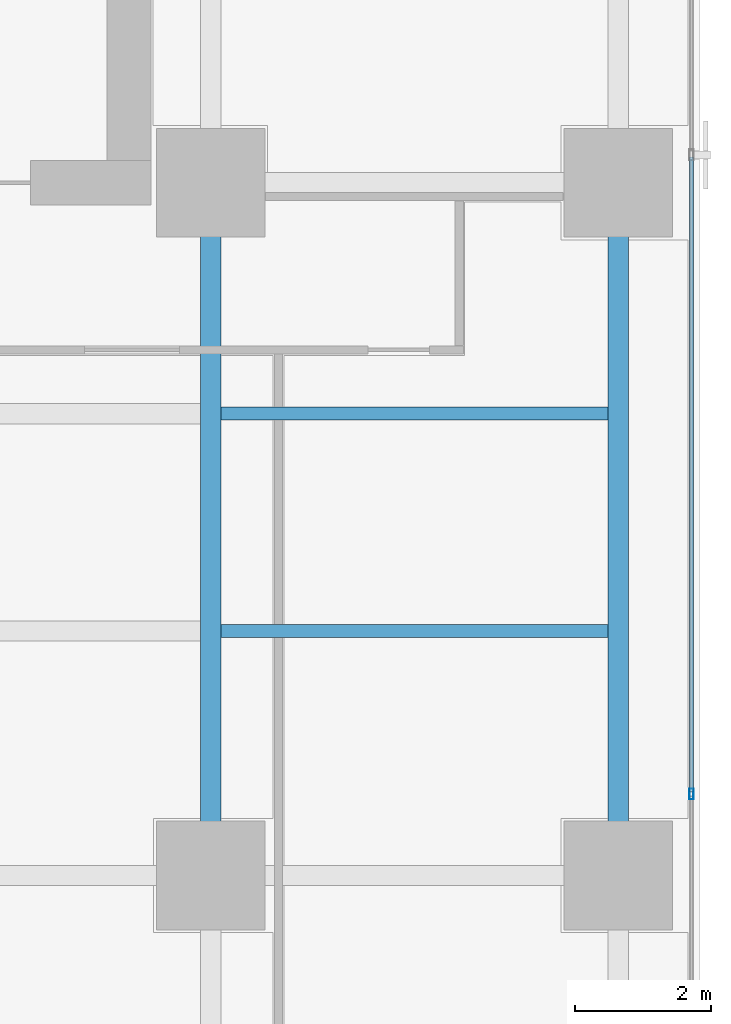
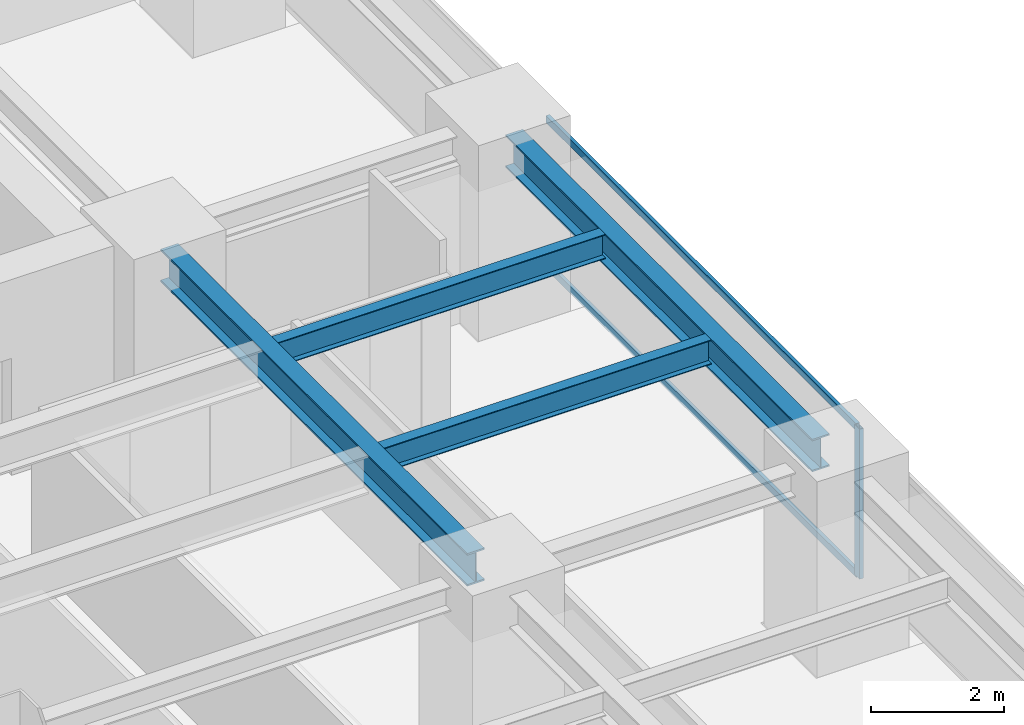
# One storey, part 13 of 28: 4 beams, 3 members, 1 element without a shape of its own.
"""IFC4 building model written with IfcOpenShell, lengths in metres."""

from ifc_helpers import new_model, si_unit, direction, frame, origin, origin_2d, place, context, subcontext, project, spatial, hollow_rectangle, i_section, extrude, source, transform, mapped, material, layer, layer_set, material_profile, profile_set, type_object, element, aggregate, save


model = new_model("IFC4")

# Units and contexts
model_context = context("Model", 3, precision=1e-05, world=origin(), true_north=direction((0.0, 1.0)))
body_context = subcontext(model_context, "Body", "Model", "MODEL_VIEW")
ifc_project = project(units=[si_unit("LENGTHUNIT", "METRE"), si_unit("AREAUNIT", "SQUARE_METRE"), si_unit("VOLUMEUNIT", "CUBIC_METRE"), si_unit("PLANEANGLEUNIT", "RADIAN"), si_unit("MASSUNIT", "GRAM", prefix="KILO")], contexts=[model_context])

# Site, building, storey
site_placement = place(None, origin())
site = spatial("IfcSite", under=ifc_project, at=site_placement, CompositionType="ELEMENT")
building_placement = place(site_placement, origin())
building = spatial("IfcBuilding", under=site, at=building_placement, Name="Sumidabori Civic Tower", CompositionType="ELEMENT")
storey_placement = place(building_placement, frame((0.0, 0.0, 182.0)))
storey = spatial("IfcBuildingStorey", under=building, at=storey_placement, Name="L47", CompositionType="ELEMENT", Elevation=182.0)

# Beams
ifc_material_1 = material(Name="Steel SN490", Category="steel")
ifc_material_profile_1 = material_profile(ifc_material_1, i_section(OverallWidth=0.300048828125, OverallDepth=0.60009765625, WebThickness=0.015380859375, FlangeThickness=0.030029296875, at=origin_2d()), Name="HE 600 B")
ifc_profile_set_1 = profile_set([ifc_material_profile_1], Name="Steel SN490")
beam_type_1 = type_object("IfcBeamType", Name="BM-GIRD-600", PredefinedType="BEAM", material=ifc_profile_set_1)
shared_shape_1 = source(origin(), body_context, "Body", "SweptSolid", [
    extrude(i_section(OverallWidth=0.300048828125, OverallDepth=0.60009765625, WebThickness=0.015380859375, FlangeThickness=0.030029296875, at=origin_2d()), origin(), (0.0, 0.0, 1.0), 9.239990234375),
])
for number, where, z_axis, x_axis, name in (
    (1, (16.800048828125, 0.47998046875, 3.080078125), (0.0, 1.0, 0.0), (-1.0, 0.0, 0.0), "Primary Girder L47 GY-34"),
    (2, (22.800048828125, 0.47998046875, 3.080078125), (0.0, 1.0, 0.0), (-1.0, 0.0, 0.0), "Primary Girder L47 GY-37"),
):
    element("IfcBeam", number, at=place(storey_placement, frame(where, z_axis=z_axis, x_axis=x_axis)), inside=storey, type_object=beam_type_1, Name=name, PredefinedType="BEAM", context=body_context, shape_type="MappedRepresentation", body=[
        mapped(shared_shape_1, transform((0.0, 0.0, 0.0), x_axis=(1.0, 0.0, 0.0), y_axis=(0.0, 1.0, 0.0), z_axis=(0.0, 0.0, 1.0), scale=1.0)),
    ])
ifc_material_profile_2 = material_profile(ifc_material_1, i_section(OverallWidth=0.18994140625, OverallDepth=0.449951171875, WebThickness=0.009521484375, FlangeThickness=0.0146484375, at=origin_2d()), Name="IPE 450")
ifc_profile_set_2 = profile_set([ifc_material_profile_2], Name="Steel SN490")
beam_type_2 = type_object("IfcBeamType", Name="BM-JST-450", PredefinedType="JOIST", material=ifc_profile_set_2)
shared_shape_2 = source(origin(), body_context, "Body", "SweptSolid", [
    extrude(i_section(OverallWidth=0.18994140625, OverallDepth=0.449951171875, WebThickness=0.009521484375, FlangeThickness=0.0146484375, at=origin_2d()), origin(), (0.0, 0.0, 1.0), 5.699951171875),
])
for number, where, z_axis, x_axis, name in (
    (3, (16.949951171875, 3.60009765625, 3.155029296875), (1.0, 0.0, 0.0), (0.0, 1.0, 0.0), "Outer Bay Floor Joist L47 JSTO-44"),
    (4, (16.949951171875, 6.800048828125, 3.155029296875), (1.0, 0.0, 0.0), (0.0, 1.0, 0.0), "Outer Bay Floor Joist L47 JSTO-46"),
):
    element("IfcBeam", number, at=place(storey_placement, frame(where, z_axis=z_axis, x_axis=x_axis)), inside=storey, type_object=beam_type_2, Name=name, PredefinedType="JOIST", context=body_context, shape_type="MappedRepresentation", body=[
        mapped(shared_shape_2, transform((0.0, 0.0, 0.0), x_axis=(1.0, 0.0, 0.0), y_axis=(0.0, 1.0, 0.0), z_axis=(0.0, 0.0, 1.0), scale=1.0)),
    ])

# Curtain wall, members
ifc_material_2 = material(Name="Anodised Bronze Aluminium AW-6063-T6", Category="aluminium")
ifc_layer = layer(ifc_material_2, 0.179931640625, Name="Anodised Bronze Aluminium AW-6063-T6")
ifc_layer_set = layer_set([ifc_layer], Name="Anodised Bronze Aluminium AW-6063-T6")
curtain_wall_type = type_object("IfcCurtainWallType", Name="CW-SYS-3", PredefinedType="NOTDEFINED", material=ifc_layer_set)
curtain_wall_placement = place(storey_placement, origin())
curtain_wall = element("IfcCurtainWall", 5, at=curtain_wall_placement, inside=storey, type_object=curtain_wall_type, Name="Curtain Wall CW:L47:R04", PredefinedType="NOTDEFINED")
ifc_material_profile_3 = material_profile(ifc_material_2, hollow_rectangle(XDim=0.06494140625, YDim=0.159912109375, WallThickness=0.0048828125, at=origin_2d()), Name="ALU MULLION 160x65")
ifc_profile_set_3 = profile_set([ifc_material_profile_3], Name="Anodised Bronze Aluminium AW-6063-T6")
member_type_1 = type_object("IfcMemberType", Name="CW-MUL-160", PredefinedType="MULLION", material=ifc_profile_set_3)
shared_shape_3 = source(origin(), body_context, "Body", "SweptSolid", [
    extrude(hollow_rectangle(XDim=0.06494140625, YDim=0.159912109375, WallThickness=0.0048828125, at=origin_2d()), origin(), (0.0, 0.0, 1.0), 2.760009765625),
])
member_1_placement = place(storey_placement, frame((23.8798828125, 1.199951171875, 0.0), z_axis=(0.0, 0.0, 1.0), x_axis=(-1.0, 0.0, 0.0)))
member_1 = element("IfcMember", 6, at=member_1_placement, type_object=member_type_1, Name="CW-3 mullion 3", PredefinedType="MULLION", context=body_context, shape_type="MappedRepresentation", body=[
    mapped(shared_shape_3, transform((0.0, 0.0, 0.0), x_axis=(1.0, 0.0, 0.0), y_axis=(0.0, 1.0, 0.0), z_axis=(0.0, 0.0, 1.0), scale=1.0)),
])
ifc_material_profile_4 = material_profile(ifc_material_2, hollow_rectangle(XDim=0.06005859375, YDim=0.1298828125, WallThickness=0.0048828125, at=origin_2d()), Name="ALU TRANSOM 130x60")
ifc_profile_set_4 = profile_set([ifc_material_profile_4], Name="Anodised Bronze Aluminium AW-6063-T6")
member_type_2 = type_object("IfcMemberType", Name="CW-TRN-130", PredefinedType="USERDEFINED", material=ifc_profile_set_4)
shared_shape_4 = source(origin(), body_context, "Body", "SweptSolid", [
    extrude(hollow_rectangle(XDim=0.06005859375, YDim=0.1298828125, WallThickness=0.0048828125, at=origin_2d()), origin(), (0.0, 0.0, 1.0), 9.344970703125),
])
member_2_placement = place(storey_placement, frame((23.8798828125, 1.232421875, 0.030029296875), z_axis=(0.0, 1.0, 0.0), x_axis=(-1.0, 0.0, 0.0)))
member_2 = element("IfcMember", 7, at=member_2_placement, type_object=member_type_2, Name="CW-3 transom 3.1", ObjectType="TRANSOM", PredefinedType="USERDEFINED", context=body_context, shape_type="MappedRepresentation", body=[
    mapped(shared_shape_4, transform((0.0, 0.0, 0.0), x_axis=(1.0, 0.0, 0.0), y_axis=(0.0, 1.0, 0.0), z_axis=(0.0, 0.0, 1.0), scale=1.0)),
])
member_3_placement = place(storey_placement, frame((23.8798828125, 1.232421875, 2.72998046875), z_axis=(0.0, 1.0, 0.0), x_axis=(-1.0, 0.0, 0.0)))
member_3 = element("IfcMember", 8, at=member_3_placement, type_object=member_type_2, Name="CW-3 transom 3.2", ObjectType="TRANSOM", PredefinedType="USERDEFINED", context=body_context, shape_type="MappedRepresentation", body=[
    mapped(shared_shape_4, transform((0.0, 0.0, 0.0), x_axis=(1.0, 0.0, 0.0), y_axis=(0.0, 1.0, 0.0), z_axis=(0.0, 0.0, 1.0), scale=1.0)),
])
aggregate(curtain_wall, [member_1, member_2, member_3])

save(model, "model.ifc")
